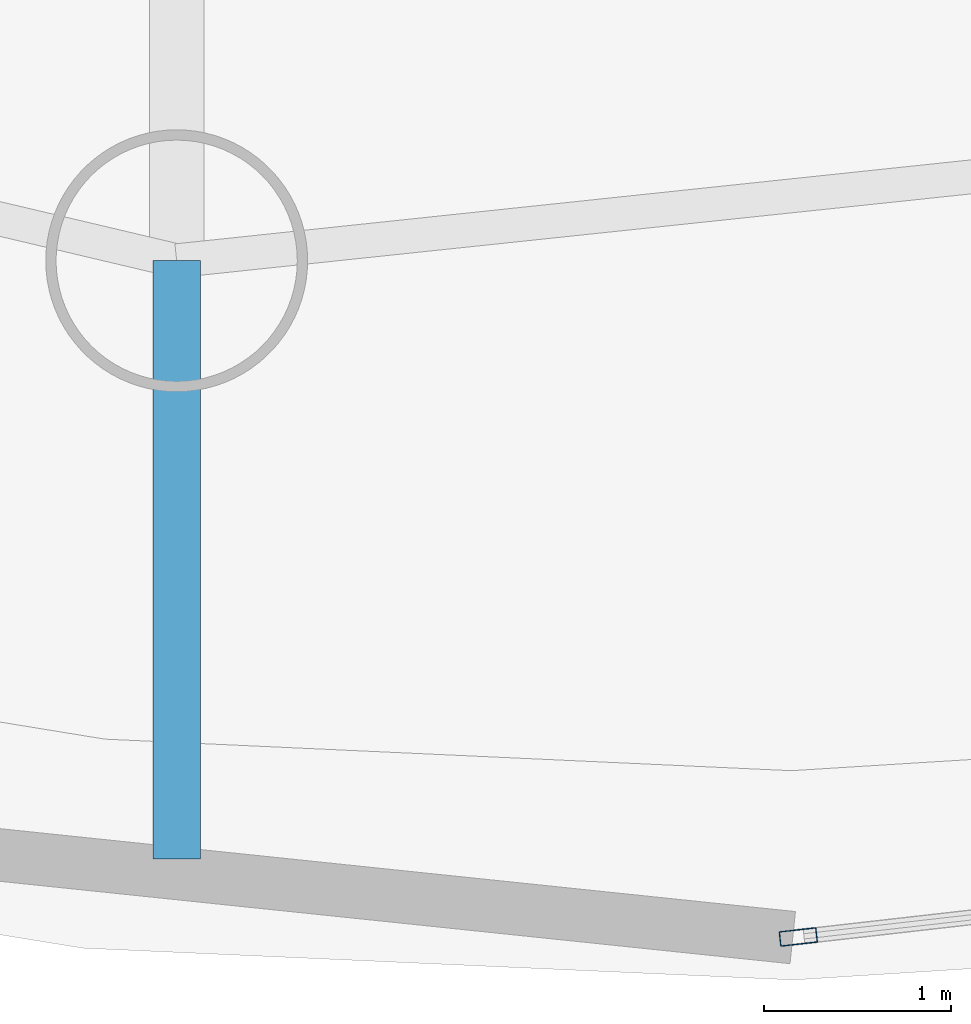
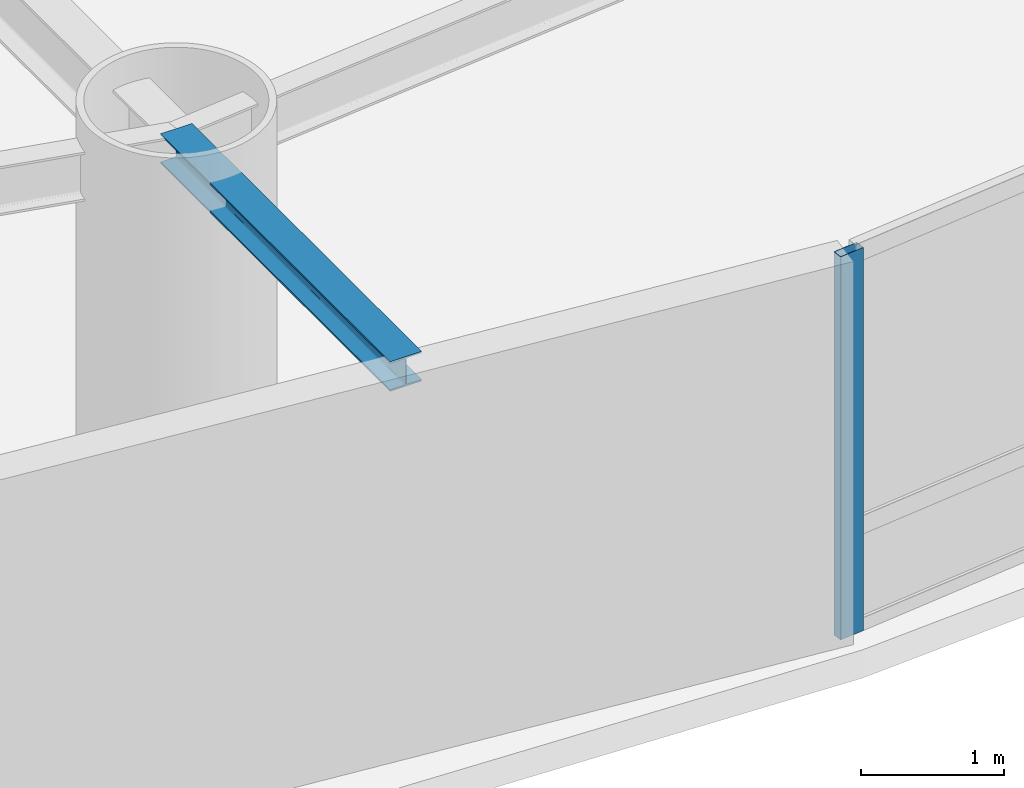
# One storey, part 2 of 22: 1 beam, 1 member, 1 element without a shape of its own.
"""IFC4 building model written with IfcOpenShell, lengths in metres."""

from ifc_helpers import new_model, si_unit, direction, frame, origin, origin_2d, place, context, subcontext, project, spatial, hollow_rectangle, i_section, extrude, material, layer, layer_set, material_profile, profile_set, type_object, element, aggregate, save


model = new_model("IFC4")

# Units and contexts
model_context = context("Model", 3, precision=1e-05, world=origin(), true_north=direction((0.0, 1.0)))
body_context = subcontext(model_context, "Body", "Model", "MODEL_VIEW")
ifc_project = project(units=[si_unit("LENGTHUNIT", "METRE"), si_unit("AREAUNIT", "SQUARE_METRE"), si_unit("VOLUMEUNIT", "CUBIC_METRE"), si_unit("PLANEANGLEUNIT", "RADIAN"), si_unit("MASSUNIT", "GRAM", prefix="KILO")], contexts=[model_context])

# Site, building, storey
site_placement = place(None, origin())
site = spatial("IfcSite", under=ifc_project, at=site_placement, CompositionType="ELEMENT")
building_placement = place(site_placement, origin())
building = spatial("IfcBuilding", under=site, at=building_placement, Name="Bramvorn Convention Spire", CompositionType="ELEMENT")
storey_placement = place(building_placement, frame((0.0, 0.0, 141.300048828125)))
storey = spatial("IfcBuildingStorey", under=building, at=storey_placement, Name="L35", CompositionType="ELEMENT", Elevation=141.300048828125)

# Beam
ifc_material_1 = material(Name="Steel CSA G40.21 Grade 350 (350W)", Category="steel")
ifc_material_profile_1 = material_profile(ifc_material_1, i_section(OverallWidth=0.25390625, OverallDepth=0.2529296875, WebThickness=0.008544921875, FlangeThickness=0.01416015625, FilletRadius=0.011962890625, at=origin_2d()))
ifc_profile_set_1 = profile_set([ifc_material_profile_1], Name="Steel CSA G40.21 Grade 350 (350W) - W250X73")
beam_type = type_object("IfcBeamType", Name="BM-W250X73", PredefinedType="BEAM", material=ifc_profile_set_1)
beam_placement = place(storey_placement, frame((39.924072265625, 5.482666015625, 3.133544921875), z_axis=(0.0, -1.0, 0.0), x_axis=(1.0, 0.0, 0.0)))
element("IfcBeam", 1, at=beam_placement, inside=storey, type_object=beam_type, Name="L35 slab-edge cantilever tip beam MC14", PredefinedType="BEAM", context=body_context, shape_type="SweptSolid", body=[
    extrude(i_section(OverallWidth=0.25390625, OverallDepth=0.2529296875, WebThickness=0.008544921875, FlangeThickness=0.01416015625, FilletRadius=0.011962890625, at=origin_2d()), origin(), (0.0, 0.0, 1.0), 3.199951171875),
])

# Curtain wall, member
ifc_material_2 = material(Name="Anodised Bronze Unitised Curtain Wall", Category="aluminium")
ifc_layer = layer(ifc_material_2, 0.179931640625)
ifc_layer_set = layer_set([ifc_layer], Name="Anodised Bronze Unitised Curtain Wall - CW-HTL-FRIT")
curtain_wall_type = type_object("IfcCurtainWallType", Name="CW-HTL-FRIT", PredefinedType="USERDEFINED", material=ifc_layer_set)
curtain_wall_placement = place(storey_placement, origin())
curtain_wall = element("IfcCurtainWall", 2, at=curtain_wall_placement, inside=storey, type_object=curtain_wall_type, Name="L35 fritted glass curtain wall 21", ObjectType="UNITISED CURTAIN WALL", PredefinedType="USERDEFINED")
ifc_material_3 = material(Name="Anodised Bronze Aluminium 6063-T6", Category="aluminium")
ifc_material_profile_2 = material_profile(ifc_material_3, hollow_rectangle(XDim=0.080078125, YDim=0.199951171875, WallThickness=0.00390625, InnerFilletRadius=0.0009765625, OuterFilletRadius=0.00390625, at=origin_2d()))
ifc_profile_set_2 = profile_set([ifc_material_profile_2], Name="Anodised Bronze Aluminium 6063-T6 - CWM80X200")
member_type = type_object("IfcMemberType", Name="CW-MUL-180", PredefinedType="MULLION", material=ifc_profile_set_2)
member_placement = place(storey_placement, frame((43.247802734375, 1.866943359375, 0.0), z_axis=(0.0, 0.0, 1.0), x_axis=(0.112783834557, -0.993619548249, 0.0)))
member = element("IfcMember", 3, at=member_placement, type_object=member_type, Name="CW2 mullion 3", PredefinedType="MULLION", context=body_context, shape_type="SweptSolid", body=[
    extrude(hollow_rectangle(XDim=0.080078125, YDim=0.199951171875, WallThickness=0.00390625, InnerFilletRadius=0.0009765625, OuterFilletRadius=0.00390625, at=origin_2d()), origin(), (0.0, 0.0, 1.0), 3.260009765625),
])
aggregate(curtain_wall, [member])

save(model, "model.ifc")
